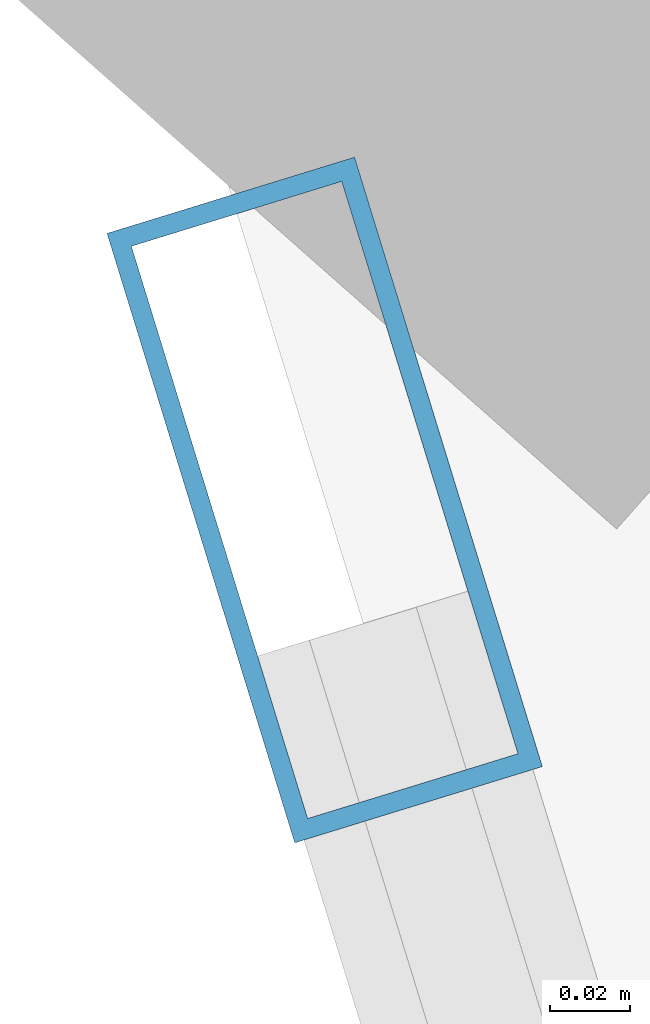
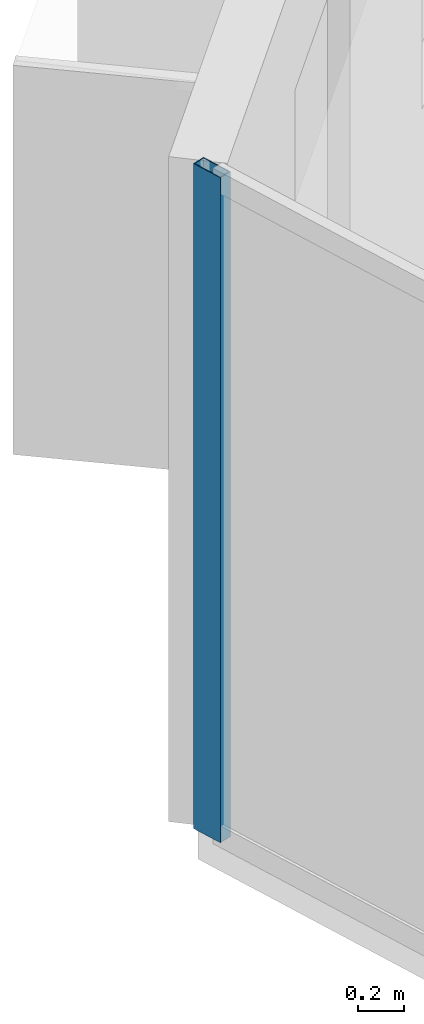
# One storey, part 10 of 23: 1 member, 1 element without a shape of its own.
"""IFC4 building model written with IfcOpenShell, lengths in metres."""

from ifc_helpers import new_model, si_unit, direction, frame, origin, origin_2d, place, context, subcontext, project, spatial, hollow_rectangle, extrude, material, layer, layer_set, material_profile, profile_set, type_object, element, aggregate, save


model = new_model("IFC4")

# Units and contexts
model_context = context("Model", 3, precision=1e-05, world=origin(), true_north=direction((0.0, 1.0)))
body_context = subcontext(model_context, "Body", "Model", "MODEL_VIEW")
ifc_project = project(units=[si_unit("LENGTHUNIT", "METRE"), si_unit("AREAUNIT", "SQUARE_METRE"), si_unit("VOLUMEUNIT", "CUBIC_METRE"), si_unit("PLANEANGLEUNIT", "RADIAN"), si_unit("MASSUNIT", "GRAM", prefix="KILO")], contexts=[model_context])

# Site, building, storey
site_placement = place(None, origin())
site = spatial("IfcSite", under=ifc_project, at=site_placement, CompositionType="ELEMENT")
building_placement = place(site_placement, origin())
building = spatial("IfcBuilding", under=site, at=building_placement, Name="Qianvela Tower", CompositionType="ELEMENT")
storey_placement = place(building_placement, frame((0.0, 0.0, 218.800048828125)))
storey = spatial("IfcBuildingStorey", under=building, at=storey_placement, Name="L56", CompositionType="ELEMENT", Elevation=218.800048828125)

# Curtain wall, member
ifc_material_1 = material(Name="Anodised Architectural Aluminium and Low-E Glass", Category="aluminium")
ifc_layer = layer(ifc_material_1, 0.159912109375)
ifc_layer_set = layer_set([ifc_layer], Name="Anodised Architectural Aluminium and Low-E Glass")
curtain_wall_type = type_object("IfcCurtainWallType", Name="CW-COLIV-Z56", PredefinedType="USERDEFINED", material=ifc_layer_set)
curtain_wall_placement = place(storey_placement, origin())
curtain_wall = element("IfcCurtainWall", 1, at=curtain_wall_placement, inside=storey, type_object=curtain_wall_type, Name="L56 CW-COLIV-Z56 Curtain Wall 04A", ObjectType="CURTAIN_WALL_SYSTEM", PredefinedType="USERDEFINED")
ifc_material_2 = material(Name="Anodised Architectural Aluminium 6063-T6", Category="aluminium")
ifc_material_profile = material_profile(ifc_material_2, hollow_rectangle(XDim=0.06494140625, YDim=0.159912109375, WallThickness=0.0048828125, at=origin_2d()), Name="ALU-MULL-65x160")
ifc_profile_set = profile_set([ifc_material_profile], Name="Anodised Architectural Aluminium 6063-T6")
member_type = type_object("IfcMemberType", Name="CW-COLIV-Z56-MULL", PredefinedType="MULLION", material=ifc_profile_set)
member_placement = place(storey_placement, frame((19.352294921875, 34.1484375, 0.0), z_axis=(0.0, 0.0, 1.0), x_axis=(0.955688640846, 0.294379384056, 0.0)))
member = element("IfcMember", 2, at=member_placement, type_object=member_type, Name="CW-5 mullion 1", PredefinedType="MULLION", context=body_context, shape_type="SweptSolid", body=[
    extrude(hollow_rectangle(XDim=0.06494140625, YDim=0.159912109375, WallThickness=0.0048828125, at=origin_2d()), origin(), (0.0, 0.0, 1.0), 3.52001953125),
])
aggregate(curtain_wall, [member])

save(model, "model.ifc")
